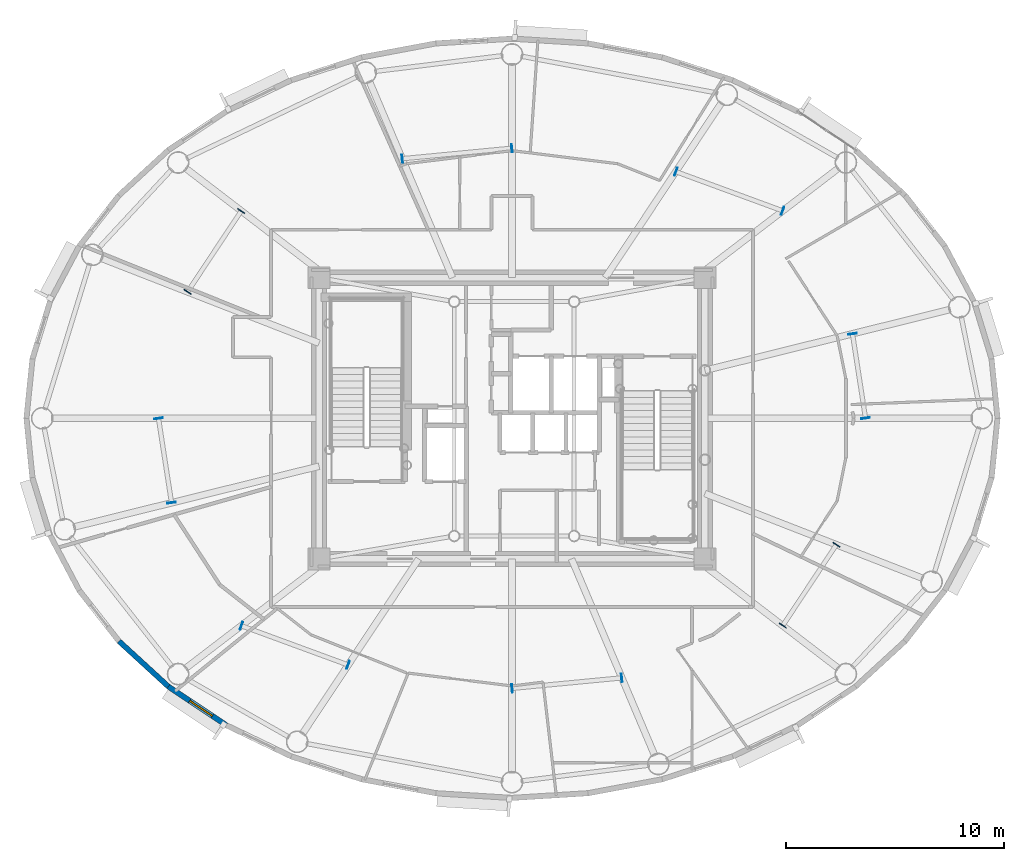
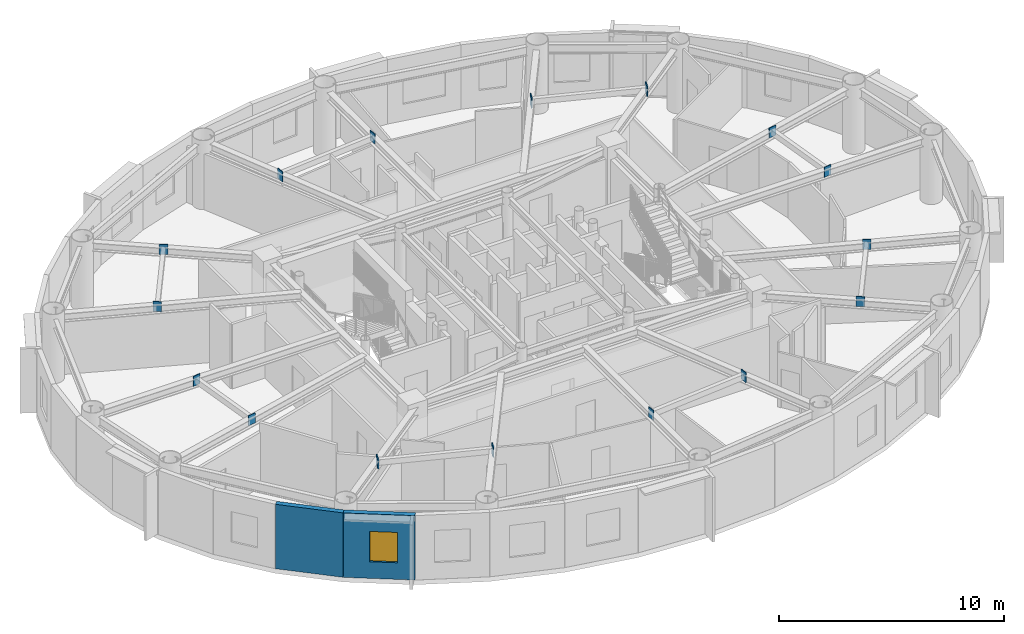
# One storey, part 5 of 17: 16 plates, 2 walls, 1 window, 1 opening.
"""IFC4 building model written with IfcOpenShell, lengths in metres."""

from ifc_helpers import new_model, si_unit, direction, frame, frame_2d, origin, origin_2d, place, context, subcontext, project, spatial, rectangle, extrude, source, transform, mapped, material, layer, layer_set, type_object, element, fill, save


model = new_model("IFC4")

# Units and contexts
model_context = context("Model", 3, precision=1e-05, world=origin(), true_north=direction((0.0, 1.0)))
body_context = subcontext(model_context, "Body", "Model", "MODEL_VIEW")
ifc_project = project(units=[si_unit("LENGTHUNIT", "METRE"), si_unit("AREAUNIT", "SQUARE_METRE"), si_unit("VOLUMEUNIT", "CUBIC_METRE"), si_unit("PLANEANGLEUNIT", "RADIAN"), si_unit("MASSUNIT", "GRAM", prefix="KILO")], contexts=[model_context])

# Site, building, storey
site_placement = place(None, origin())
site = spatial("IfcSite", under=ifc_project, at=site_placement, CompositionType="ELEMENT")
building_placement = place(site_placement, origin())
building = spatial("IfcBuilding", under=site, at=building_placement, Name="Linh Dai School and Residence Tower", CompositionType="ELEMENT")
storey_placement = place(building_placement, frame((0.0, 0.0, 310.5)))
storey = spatial("IfcBuildingStorey", under=building, at=storey_placement, Name="L77", CompositionType="ELEMENT", Elevation=310.5)

# Plates
ifc_material_1 = material(Name="Structural Steel S355JR", Category="steel")
ifc_layer_1 = layer(ifc_material_1, 0.0400390625)
ifc_layer_set_1 = layer_set([ifc_layer_1], Name="Structural Steel S355JR")
plate_type = type_object("IfcPlateType", Name="PLT-GP1", PredefinedType="USERDEFINED", material=ifc_layer_set_1)
shared_shape_1 = source(origin(), body_context, "Body", "SweptSolid", [
    extrude(rectangle(XDim=0.0400390625, YDim=0.3798828125, at=origin_2d()), origin(), (0.0, 0.0, 1.0), 0.5400390625),
])
for number, where, z_axis, x_axis, name in (
    (1, (52.21533203125, 27.0048828125, 3.080078125), (0.0, 0.0, 1.0), (-0.152473707763, 0.988307527261, 0.0), "L77 Secondary Beam End Plate 01A"),
    (2, (51.61865234375, 30.87255859375, 3.080078125), (0.0, 0.0, 1.0), (-0.152473707763, 0.988307527261, 0.0), "L77 Secondary Beam End Plate 01B"),
    (3, (48.4140625, 36.51611328125, 3.080078125), (0.0, 0.0, 1.0), (-0.938695431921, 0.34474756865, 0.0), "L77 Secondary Beam End Plate 02A"),
    (4, (43.519287109375, 38.313720703125, 3.080078125), (0.0, 0.0, 1.0), (-0.938695431921, 0.34474756865, 0.0), "L77 Secondary Beam End Plate 02B"),
    (5, (35.9951171875, 39.388671875, 3.080078125), (0.0, 0.0, 1.0), (-0.995444959349, -0.095337992991, 0.0), "L77 Secondary Beam End Plate 03A"),
    (6, (30.965087890625, 38.906982421875, 3.080078125), (0.0, 0.0, 1.0), (-0.995444959349, -0.095337992991, 0.0), "L77 Secondary Beam End Plate 03B"),
    (7, (23.57861328125, 36.51025390625, 3.080078125), (0.0, 0.0, 1.0), (-0.552122484469, -0.833763013178, 0.0), "L77 Secondary Beam End Plate 04A"),
    (8, (21.123046875, 32.80224609375, 3.080078125), (0.0, 0.0, 1.0), (-0.552122484469, -0.833763013178, 0.0), "L77 Secondary Beam End Plate 04B"),
    (9, (19.78466796875, 26.9951171875, 3.080078125), (0.0, 0.0, 1.0), (0.152473707763, -0.988307527261, 0.0), "L77 Secondary Beam End Plate 05A"),
    (10, (20.38134765625, 23.12744140625, 3.080078125), (0.0, 0.0, 1.0), (0.152473707763, -0.988307527261, 0.0), "L77 Secondary Beam End Plate 05B"),
    (11, (23.5859375, 17.48388671875, 3.080078125), (0.0, 0.0, 1.0), (0.938695431921, -0.34474756865, 0.0), "L77 Secondary Beam End Plate 06A"),
    (12, (28.480712890625, 15.686279296875, 3.080078125), (0.0, 0.0, 1.0), (0.938695431921, -0.34474756865, 0.0), "L77 Secondary Beam End Plate 06B"),
    (13, (36.0048828125, 14.611328125, 3.080078125), (0.0, 0.0, 1.0), (0.995444959349, 0.095337992991, 0.0), "L77 Secondary Beam End Plate 07A"),
    (14, (41.034912109375, 15.093017578125, 3.080078125), (0.0, 0.0, 1.0), (0.995444959349, 0.095337992991, 0.0), "L77 Secondary Beam End Plate 07B"),
    (15, (48.42138671875, 17.48974609375, 3.080078125), (0.0, 0.0, 1.0), (0.552122484469, 0.833763013178, 0.0), "L77 Secondary Beam End Plate 08A"),
    (16, (50.876953125, 21.19775390625, 3.080078125), (0.0, 0.0, 1.0), (0.552122484469, 0.833763013178, 0.0), "L77 Secondary Beam End Plate 08B"),
):
    element("IfcPlate", number, at=place(storey_placement, frame(where, z_axis=z_axis, x_axis=x_axis)), inside=storey, type_object=plate_type, Name=name, ObjectType="GUSSET PLATE", PredefinedType="USERDEFINED", context=body_context, shape_type="MappedRepresentation", body=[
        mapped(shared_shape_1, transform((0.0, 0.0, 0.0), x_axis=(1.0, 0.0, 0.0), y_axis=(0.0, 1.0, 0.0), z_axis=(0.0, 0.0, 1.0), scale=1.0)),
    ])

# Wall
ifc_material_2 = material(Name="Precast Concrete B45 (C35/45)", Category="concrete")
ifc_layer_2 = layer(ifc_material_2, 0.239990234375)
ifc_layer_set_2 = layer_set([ifc_layer_2], Name="Precast Concrete B45 (C35/45)")
wall_type = type_object("IfcWallType", Name="EW-TC-240", PredefinedType="SOLIDWALL", material=ifc_layer_set_2)
wall_1_placement = place(storey_placement, frame((20.23779296875, 14.69580078125, 0.0), z_axis=(0.0, 0.0, 1.0), x_axis=(-0.737068506972, 0.675818034703, 0.0)))
element("IfcWall", 17, at=wall_1_placement, inside=storey, type_object=wall_type, Name="L77 Terracotta Exterior Wall 25", PredefinedType="SOLIDWALL", context=body_context, shape_type="SweptSolid", body=[
    extrude(rectangle(XDim=3.0771484375, YDim=0.239990234375, at=frame_2d((1.53857421875, 0.0))), origin(), (0.0, 0.0, 1.0), 3.5),
])

# Wall, opening, window
wall_2_placement = place(storey_placement, frame((22.8955078125, 12.91845703125, 0.0), z_axis=(0.0, 0.0, 1.0), x_axis=(-0.831250592635, 0.55589787933, 0.0)))
wall_2 = element("IfcWall", 18, at=wall_2_placement, inside=storey, type_object=wall_type, Name="L77 Terracotta Exterior Wall 26", PredefinedType="SOLIDWALL", context=body_context, shape_type="SweptSolid", body=[
    extrude(rectangle(XDim=3.197265625, YDim=0.239990234375, at=frame_2d((1.5986328125, 0.0))), origin(), (0.0, 0.0, 1.0), 3.5),
])
opening_placement = place(wall_2_placement, frame((0.771728515625, 0.0, 0.89990234375)))
opening = element("IfcOpeningElement", 19, at=opening_placement, cuts=wall_2, Name="Opening W3", PredefinedType="OPENING", context=body_context, shape_type="SweptSolid", body=[
    extrude(rectangle(XDim=1.25, YDim=1.64990234375, at=origin_2d()), frame((0.625, 0.1298828125, 0.824951171875), z_axis=(0.0, -1.0, 0.0), x_axis=(1.0, 0.0, 0.0)), (0.0, 0.0, 1.0), 0.260009765625),
])
ifc_material_3 = material(Name="Double Low-E Insulated Glazing", Category="glass")
window_type = type_object("IfcWindowType", Name="WN-RES-1250x1650", PartitioningType="SINGLE_PANEL", PredefinedType="WINDOW", material=ifc_material_3)
shared_shape_2 = source(origin(), body_context, "Body", "SweptSolid", [
    extrude(rectangle(XDim=1.25, YDim=1.64990234375, at=origin_2d()), frame((0.625, 0.030029296875, 0.824951171875), z_axis=(0.0, -1.0, 0.0), x_axis=(1.0, 0.0, 0.0)), (0.0, 0.0, 1.0), 0.06005859375),
])
window_placement = place(opening_placement, origin())
window = element("IfcWindow", 20, at=window_placement, inside=storey, type_object=window_type, Name="L77 Exterior Window 26.1", OverallHeight=1.64990234375, OverallWidth=1.25, PartitioningType="SINGLE_PANEL", PredefinedType="WINDOW", context=body_context, shape_type="MappedRepresentation", body=[
    mapped(shared_shape_2, transform((0.0, 0.0, 0.0), x_axis=(1.0, 0.0, 0.0), y_axis=(0.0, 1.0, 0.0), z_axis=(0.0, 0.0, 1.0), scale=1.0)),
])
fill(opening, window)

save(model, "model.ifc")
